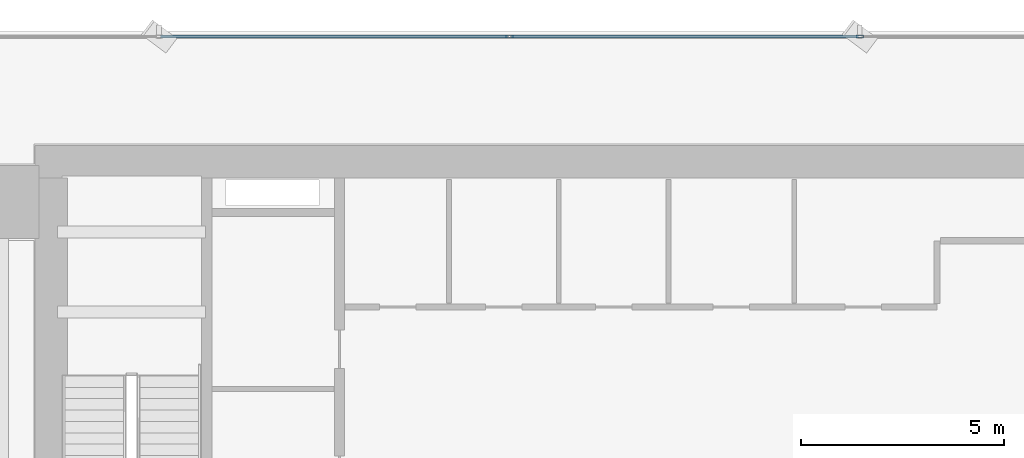
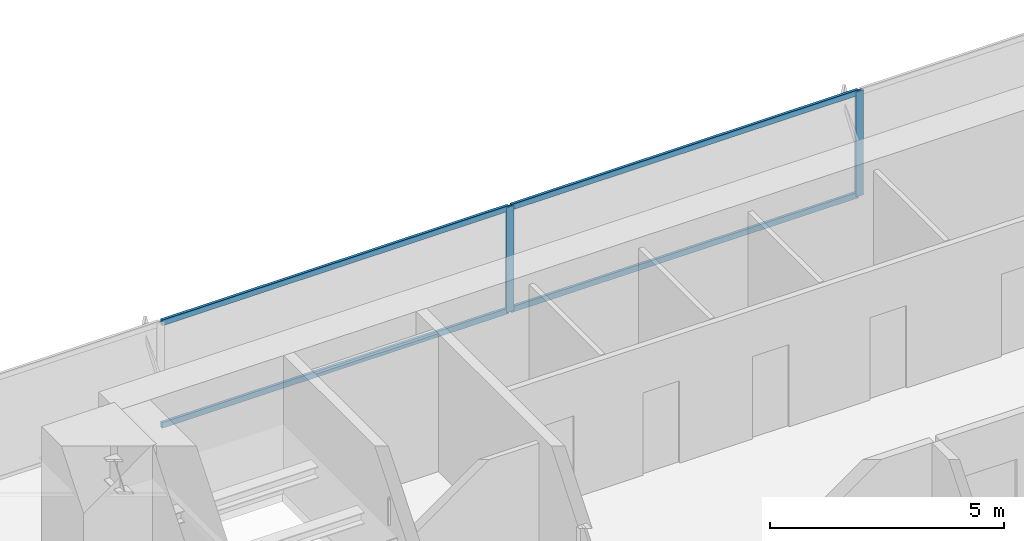
# One storey, part 19 of 34: 6 members, 1 element without a shape of its own.
"""IFC4 building model written with IfcOpenShell, lengths in metres."""

from ifc_helpers import new_model, si_unit, direction, frame, origin, origin_2d, place, context, subcontext, project, spatial, hollow_rectangle, extrude, source, transform, mapped, material, layer, layer_set, material_profile, profile_set, type_object, element, aggregate, save


model = new_model("IFC4")

# Units and contexts
model_context = context("Model", 3, precision=1e-05, world=origin(), true_north=direction((0.0, 1.0)))
body_context = subcontext(model_context, "Body", "Model", "MODEL_VIEW")
ifc_project = project(units=[si_unit("LENGTHUNIT", "METRE"), si_unit("AREAUNIT", "SQUARE_METRE"), si_unit("VOLUMEUNIT", "CUBIC_METRE"), si_unit("PLANEANGLEUNIT", "RADIAN"), si_unit("MASSUNIT", "GRAM", prefix="KILO")], contexts=[model_context])

# Site, building, storey
site_placement = place(None, origin())
site = spatial("IfcSite", under=ifc_project, at=site_placement, CompositionType="ELEMENT")
building_placement = place(site_placement, origin())
building = spatial("IfcBuilding", under=site, at=building_placement, Name="Sumidabori Civic Tower", CompositionType="ELEMENT")
storey_placement = place(building_placement, frame((0.0, 0.0, 56.0)))
storey = spatial("IfcBuildingStorey", under=building, at=storey_placement, Name="L14", CompositionType="ELEMENT", Elevation=56.0)

# Curtain wall, members
ifc_material = material(Name="Anodised Bronze Aluminium AW-6063-T6", Category="aluminium")
ifc_layer = layer(ifc_material, 0.179931640625, Name="Anodised Bronze Aluminium AW-6063-T6")
ifc_layer_set = layer_set([ifc_layer], Name="Anodised Bronze Aluminium AW-6063-T6")
curtain_wall_type = type_object("IfcCurtainWallType", Name="CW-SYS-2", PredefinedType="NOTDEFINED", material=ifc_layer_set)
curtain_wall_placement = place(storey_placement, origin())
curtain_wall = element("IfcCurtainWall", 1, at=curtain_wall_placement, inside=storey, type_object=curtain_wall_type, Name="Curtain Wall CW:L14:R07", PredefinedType="NOTDEFINED")
ifc_material_profile_1 = material_profile(ifc_material, hollow_rectangle(XDim=0.070068359375, YDim=0.179931640625, WallThickness=0.006103515625, at=origin_2d()), Name="ALU MULLION 180x70")
ifc_profile_set_1 = profile_set([ifc_material_profile_1], Name="Anodised Bronze Aluminium AW-6063-T6")
member_type_1 = type_object("IfcMemberType", Name="CW-MUL-180", PredefinedType="MULLION", material=ifc_profile_set_1)
shared_shape_1 = source(origin(), body_context, "Body", "SweptSolid", [
    extrude(hollow_rectangle(XDim=0.070068359375, YDim=0.179931640625, WallThickness=0.006103515625, at=origin_2d()), origin(), (0.0, 0.0, 1.0), 2.739990234375),
])
member_1_placement = place(storey_placement, frame((4.31396484375, 26.8798828125, 0.0), z_axis=(0.0, 0.0, 1.0), x_axis=(0.0, -1.0, 0.0)))
member_1 = element("IfcMember", 2, at=member_1_placement, type_object=member_type_1, Name="CW-2 mullion 3", PredefinedType="MULLION", context=body_context, shape_type="MappedRepresentation", body=[
    mapped(shared_shape_1, transform((0.0, 0.0, 0.0), x_axis=(1.0, 0.0, 0.0), y_axis=(0.0, 1.0, 0.0), z_axis=(0.0, 0.0, 1.0), scale=1.0)),
])
member_2_placement = place(storey_placement, frame((-4.31396484375, 26.8798828125, 0.0), z_axis=(0.0, 0.0, 1.0), x_axis=(0.0, -1.0, 0.0)))
member_2 = element("IfcMember", 3, at=member_2_placement, type_object=member_type_1, Name="CW-2 mullion 4", PredefinedType="MULLION", context=body_context, shape_type="MappedRepresentation", body=[
    mapped(shared_shape_1, transform((0.0, 0.0, 0.0), x_axis=(1.0, 0.0, 0.0), y_axis=(0.0, 1.0, 0.0), z_axis=(0.0, 0.0, 1.0), scale=1.0)),
])
ifc_material_profile_2 = material_profile(ifc_material, hollow_rectangle(XDim=0.06494140625, YDim=0.14990234375, WallThickness=0.0048828125, at=origin_2d()), Name="ALU TRANSOM 150x65")
ifc_profile_set_2 = profile_set([ifc_material_profile_2], Name="Anodised Bronze Aluminium AW-6063-T6")
member_type_2 = type_object("IfcMemberType", Name="CW-TRN-150", PredefinedType="USERDEFINED", material=ifc_profile_set_2)
shared_shape_2 = source(origin(), body_context, "Body", "SweptSolid", [
    extrude(hollow_rectangle(XDim=0.06494140625, YDim=0.14990234375, WallThickness=0.0048828125, at=origin_2d()), origin(), (0.0, 0.0, 1.0), 8.557861328125),
])
member_3_placement = place(storey_placement, frame((-4.34912109375, 26.8798828125, 0.032470703125), z_axis=(-1.0, 0.0, 0.0), x_axis=(0.0, -1.0, 0.0)))
member_3 = element("IfcMember", 4, at=member_3_placement, type_object=member_type_2, Name="CW-2 transom 4.1", ObjectType="TRANSOM", PredefinedType="USERDEFINED", context=body_context, shape_type="MappedRepresentation", body=[
    mapped(shared_shape_2, transform((0.0, 0.0, 0.0), x_axis=(1.0, 0.0, 0.0), y_axis=(0.0, 1.0, 0.0), z_axis=(0.0, 0.0, 1.0), scale=1.0)),
])
member_4_placement = place(storey_placement, frame((-4.34912109375, 26.8798828125, 2.70751953125), z_axis=(-1.0, 0.0, 0.0), x_axis=(0.0, -1.0, 0.0)))
member_4 = element("IfcMember", 5, at=member_4_placement, type_object=member_type_2, Name="CW-2 transom 4.2", ObjectType="TRANSOM", PredefinedType="USERDEFINED", context=body_context, shape_type="MappedRepresentation", body=[
    mapped(shared_shape_2, transform((0.0, 0.0, 0.0), x_axis=(1.0, 0.0, 0.0), y_axis=(0.0, 1.0, 0.0), z_axis=(0.0, 0.0, 1.0), scale=1.0)),
])
shared_shape_3 = source(origin(), body_context, "Body", "SweptSolid", [
    extrude(hollow_rectangle(XDim=0.06494140625, YDim=0.14990234375, WallThickness=0.0048828125, at=origin_2d()), origin(), (0.0, 0.0, 1.0), 8.55810546875),
])
member_5_placement = place(storey_placement, frame((4.279052734375, 26.8798828125, 0.032470703125), z_axis=(-1.0, 0.0, 0.0), x_axis=(0.0, -1.0, 0.0)))
member_5 = element("IfcMember", 6, at=member_5_placement, type_object=member_type_2, Name="CW-2 transom 3.1", ObjectType="TRANSOM", PredefinedType="USERDEFINED", context=body_context, shape_type="MappedRepresentation", body=[
    mapped(shared_shape_3, transform((0.0, 0.0, 0.0), x_axis=(1.0, 0.0, 0.0), y_axis=(0.0, 1.0, 0.0), z_axis=(0.0, 0.0, 1.0), scale=1.0)),
])
member_6_placement = place(storey_placement, frame((4.279052734375, 26.8798828125, 2.70751953125), z_axis=(-1.0, 0.0, 0.0), x_axis=(0.0, -1.0, 0.0)))
member_6 = element("IfcMember", 7, at=member_6_placement, type_object=member_type_2, Name="CW-2 transom 3.2", ObjectType="TRANSOM", PredefinedType="USERDEFINED", context=body_context, shape_type="MappedRepresentation", body=[
    mapped(shared_shape_3, transform((0.0, 0.0, 0.0), x_axis=(1.0, 0.0, 0.0), y_axis=(0.0, 1.0, 0.0), z_axis=(0.0, 0.0, 1.0), scale=1.0)),
])
aggregate(curtain_wall, [member_1, member_2, member_5, member_6, member_3, member_4])

save(model, "model.ifc")
